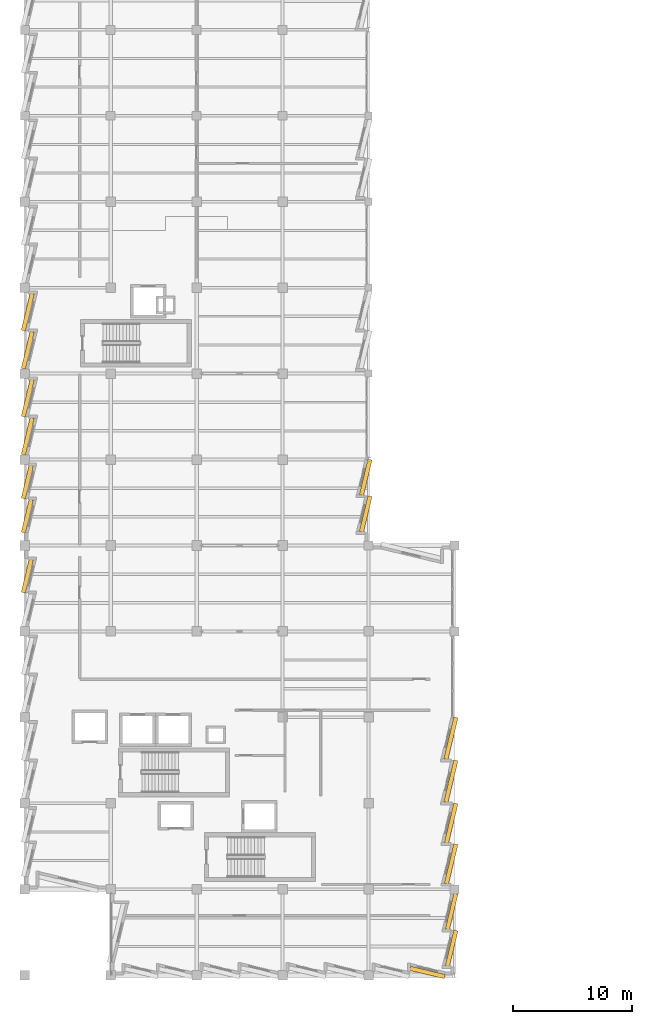
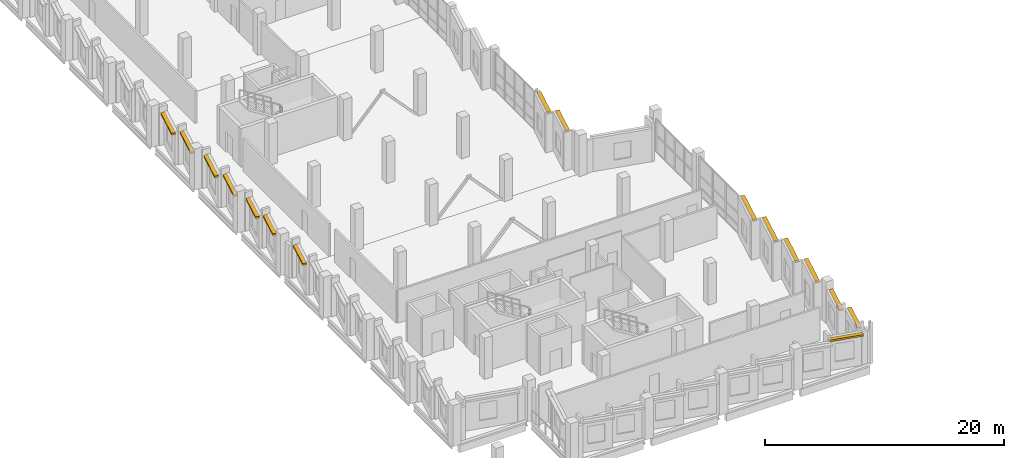
# One storey, part 83 of 94: 16 shading devices.
"""IFC4 building model written with IfcOpenShell, lengths in metres."""

from ifc_helpers import new_model, si_unit, direction, frame, origin, origin_2d, place, context, subcontext, project, spatial, rectangle, extrude, material, layer, layer_set, type_object, element, save


model = new_model("IFC4")

# Units and contexts
model_context = context("Model", 3, precision=1e-05, world=origin(), true_north=direction((0.0, 1.0)))
body_context = subcontext(model_context, "Body", "Model", "MODEL_VIEW")
ifc_project = project(units=[si_unit("LENGTHUNIT", "METRE"), si_unit("AREAUNIT", "SQUARE_METRE"), si_unit("VOLUMEUNIT", "CUBIC_METRE"), si_unit("PLANEANGLEUNIT", "RADIAN"), si_unit("MASSUNIT", "GRAM", prefix="KILO")], contexts=[model_context])

# Site, building, storey
site_placement = place(None, origin())
site = spatial("IfcSite", under=ifc_project, at=site_placement, CompositionType="ELEMENT")
building_placement = place(site_placement, origin())
building = spatial("IfcBuilding", under=site, at=building_placement, Name="Kalmorath City Hall", CompositionType="ELEMENT")
storey_placement = place(building_placement, frame((0.0, 0.0, 14.699951171875)))
storey = spatial("IfcBuildingStorey", under=building, at=storey_placement, Name="L03", CompositionType="ELEMENT", Elevation=14.699951171875)

# Shading devices
ifc_material = material(Name="Precast concrete C40/50", Category="concrete")
ifc_layer = layer(ifc_material, 0.179931640625)
ifc_layer_set = layer_set([ifc_layer], Name="Precast concrete C40/50")
shading_device_type = type_object("IfcShadingDeviceType", Name="Precast sawtooth brow sunshade 350", PredefinedType="USERDEFINED", material=ifc_layer_set)
for number, where, z_axis, x_axis, name in (
    (1, (0.212158203125, 33.443359375, 3.15625), (0.0, 0.0, 1.0), (0.233445363856, 0.972369920398, 0.0), "L03 precast sawtooth hood #291"),
    (2, (0.212158203125, 38.46435546875, 3.15625), (0.0, 0.0, 1.0), (0.233445363856, 0.972369920398, 0.0), "L03 precast sawtooth hood #292"),
    (3, (0.212158203125, 41.3232421875, 3.15625), (0.0, 0.0, 1.0), (0.233445363856, 0.972369920398, 0.0), "L03 precast sawtooth hood #293"),
):
    element("IfcShadingDevice", number, at=place(storey_placement, frame(where, z_axis=z_axis, x_axis=x_axis)), inside=storey, type_object=shading_device_type, Name=name, ObjectType="SUNSHADE", PredefinedType="USERDEFINED", context=body_context, shape_type="SweptSolid", body=[
        extrude(rectangle(XDim=2.84521484375, YDim=0.360107421875, at=origin_2d()), origin(), (0.0, 0.0, 1.0), 0.179931640625),
    ])
for number, where, z_axis, x_axis, name in (
    (4, (0.2529296875, 45.154296875, 3.15625), (0.0, 0.0, 1.0), (0.233445363856, 0.972369920398, 0.0), "L03 precast sawtooth hood #294"),
    (5, (0.2529296875, 48.353271484375, 3.15625), (0.0, 0.0, 1.0), (0.233445363856, 0.972369920398, 0.0), "L03 precast sawtooth hood #295"),
    (6, (0.2529296875, 52.354248046875, 3.15625), (0.0, 0.0, 1.0), (0.233445363856, 0.972369920398, 0.0), "L03 precast sawtooth hood #296"),
    (7, (0.2529296875, 55.55322265625, 3.15625), (0.0, 0.0, 1.0), (0.233445363856, 0.972369920398, 0.0), "L03 precast sawtooth hood #297"),
):
    element("IfcShadingDevice", number, at=place(storey_placement, frame(where, z_axis=z_axis, x_axis=x_axis)), inside=storey, type_object=shading_device_type, Name=name, ObjectType="SUNSHADE", PredefinedType="USERDEFINED", context=body_context, shape_type="SweptSolid", body=[
        extrude(rectangle(XDim=3.19482421875, YDim=0.360107421875, at=origin_2d()), origin(), (0.0, 0.0, 1.0), 0.179931640625),
    ])
for number, where, z_axis, x_axis, name in (
    (8, (28.562255859375, 41.710205078125, 3.740234375), (0.0, 0.0, 1.0), (-0.233445363856, -0.972369920398, 0.0), "L03 precast sawtooth hood #346"),
    (9, (28.562255859375, 38.63818359375, 3.740234375), (0.0, 0.0, 1.0), (-0.233445363856, -0.972369920398, 0.0), "L03 precast sawtooth hood #347"),
):
    element("IfcShadingDevice", number, at=place(storey_placement, frame(where, z_axis=z_axis, x_axis=x_axis)), inside=storey, type_object=shading_device_type, Name=name, ObjectType="SUNSHADE", PredefinedType="USERDEFINED", context=body_context, shape_type="SweptSolid", body=[
        extrude(rectangle(XDim=3.064208984375, YDim=0.360107421875, at=origin_2d()), origin(), (0.0, 0.0, 1.0), 0.179931640625),
    ])
for number, where, z_axis, x_axis, name in (
    (10, (35.698974609375, 19.84619140625, 3.740234375), (0.0, 0.0, 1.0), (-0.233445363856, -0.972369920398, 0.0), "L03 precast sawtooth hood #349"),
    (11, (35.698974609375, 16.24609375, 3.740234375), (0.0, 0.0, 1.0), (-0.233445363856, -0.972369920398, 0.0), "L03 precast sawtooth hood #350"),
):
    element("IfcShadingDevice", number, at=place(storey_placement, frame(where, z_axis=z_axis, x_axis=x_axis)), inside=storey, type_object=shading_device_type, Name=name, ObjectType="SUNSHADE", PredefinedType="USERDEFINED", context=body_context, shape_type="SweptSolid", body=[
        extrude(rectangle(XDim=3.607421875, YDim=0.360107421875, at=origin_2d()), origin(), (0.0, 0.0, 1.0), 0.179931640625),
    ])
for number, where, z_axis, x_axis, name in (
    (12, (35.721435546875, 12.740234375, 3.740234375), (0.0, 0.0, 1.0), (-0.233428392764, -0.97237399464, 0.0), "L03 precast sawtooth hood #351"),
    (13, (35.721435546875, 9.328125, 3.740234375), (0.0, 0.0, 1.0), (-0.233428392764, -0.97237399464, 0.0), "L03 precast sawtooth hood #352"),
):
    element("IfcShadingDevice", number, at=place(storey_placement, frame(where, z_axis=z_axis, x_axis=x_axis)), inside=storey, type_object=shading_device_type, Name=name, ObjectType="SUNSHADE", PredefinedType="USERDEFINED", context=body_context, shape_type="SweptSolid", body=[
        extrude(rectangle(XDim=3.413818359375, YDim=0.360107421875, at=origin_2d()), origin(), (0.0, 0.0, 1.0), 0.179931640625),
    ])
for number, where, z_axis, x_axis, name in (
    (14, (35.76220703125, 5.334228515625, 3.15625), (0.0, 0.0, 1.0), (-0.233445363856, -0.972369920398, 0.0), "L03 precast sawtooth hood #353"),
    (15, (35.76220703125, 2.26220703125, 3.15625), (0.0, 0.0, 1.0), (-0.233445363856, -0.972369920398, 0.0), "L03 precast sawtooth hood #354"),
):
    element("IfcShadingDevice", number, at=place(storey_placement, frame(where, z_axis=z_axis, x_axis=x_axis)), inside=storey, type_object=shading_device_type, Name=name, ObjectType="SUNSHADE", PredefinedType="USERDEFINED", context=body_context, shape_type="SweptSolid", body=[
        extrude(rectangle(XDim=3.064208984375, YDim=0.360107421875, at=origin_2d()), origin(), (0.0, 0.0, 1.0), 0.179931640625),
    ])
shading_device_placement = place(storey_placement, frame((33.740478515625, 0.228515625, 3.15625), z_axis=(0.0, 0.0, 1.0), x_axis=(-0.972365845859, 0.233462334877, 0.0)))
element("IfcShadingDevice", 16, at=shading_device_placement, inside=storey, type_object=shading_device_type, Name="L03 precast sawtooth hood #355", ObjectType="SUNSHADE", PredefinedType="USERDEFINED", context=body_context, shape_type="SweptSolid", body=[
    extrude(rectangle(XDim=2.985595703125, YDim=0.360107421875, at=origin_2d()), origin(), (0.0, 0.0, 1.0), 0.179931640625),
])

save(model, "model.ifc")
